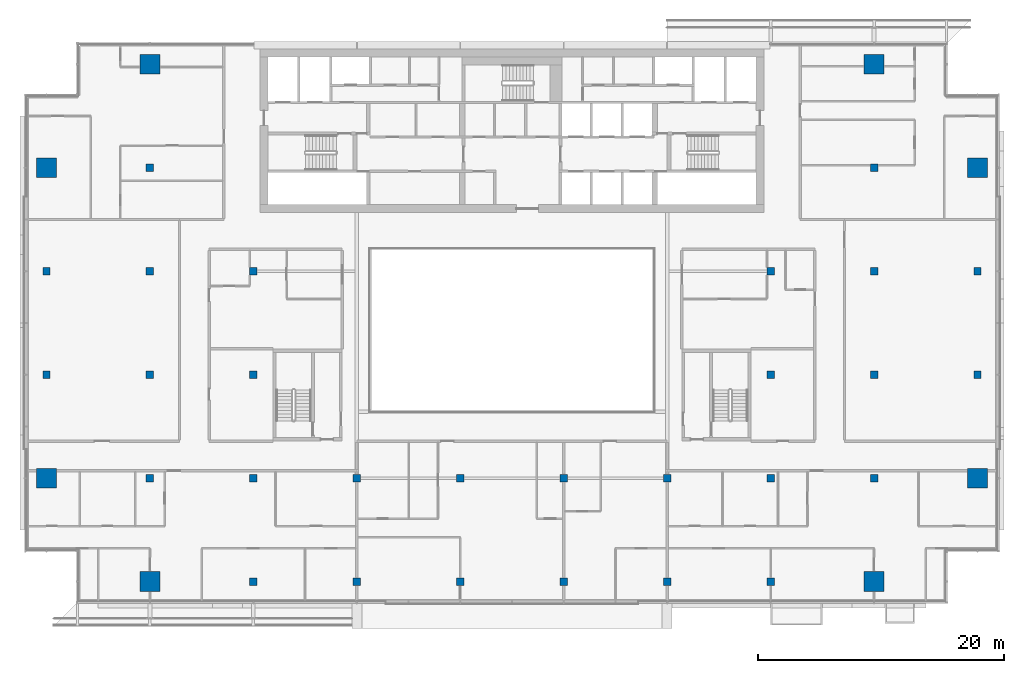
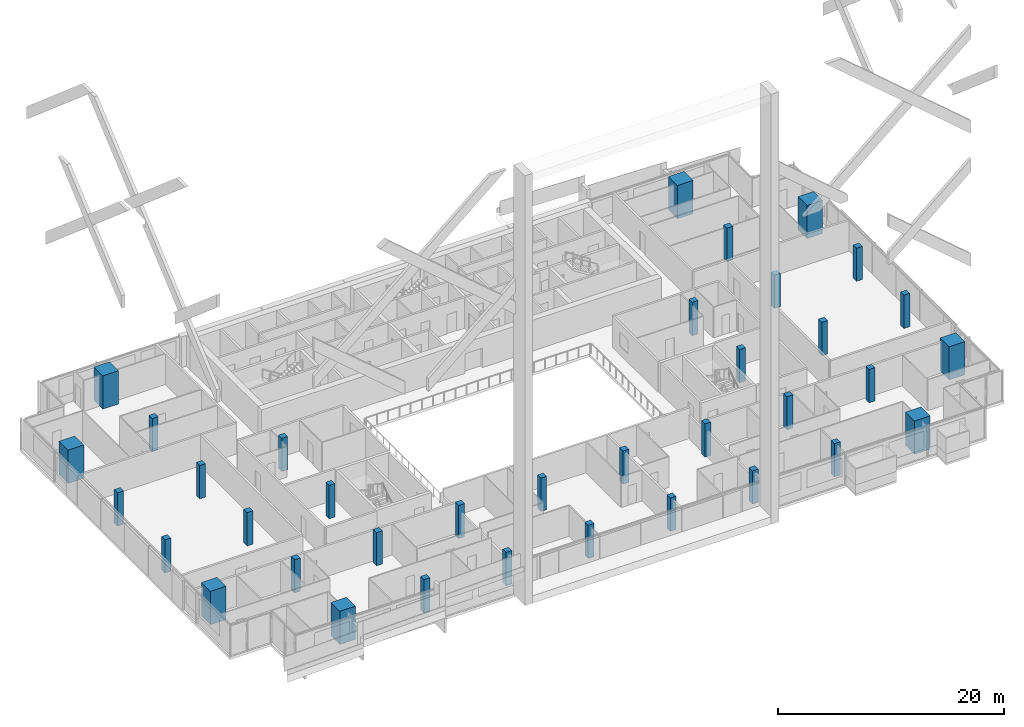
# One storey, part 1 of 31: 36 columns.
"""IFC4 building model written with IfcOpenShell, lengths in metres."""

from ifc_helpers import new_model, si_unit, direction, frame, origin, origin_2d, place, context, subcontext, project, spatial, rectangle, extrude, material, material_profile, profile_set, type_object, element, save


model = new_model("IFC4")

# Units and contexts
model_context = context("Model", 3, precision=1e-05, world=origin(), true_north=direction((0.0, 1.0)))
body_context = subcontext(model_context, "Body", "Model", "MODEL_VIEW")
ifc_project = project(units=[si_unit("LENGTHUNIT", "METRE"), si_unit("AREAUNIT", "SQUARE_METRE"), si_unit("VOLUMEUNIT", "CUBIC_METRE"), si_unit("PLANEANGLEUNIT", "RADIAN"), si_unit("MASSUNIT", "GRAM", prefix="KILO")], contexts=[model_context])

# Site, building, storey
site_placement = place(None, origin())
site = spatial("IfcSite", under=ifc_project, at=site_placement, CompositionType="ELEMENT")
building_placement = place(site_placement, origin())
building = spatial("IfcBuilding", under=site, at=building_placement, Name="Saffron Gate Tower", CompositionType="ELEMENT")
storey_placement = place(building_placement, frame((0.0, 0.0, 205.5)))
storey = spatial("IfcBuildingStorey", under=building, at=storey_placement, Name="L49", CompositionType="ELEMENT", Elevation=205.5)

# Columns
ifc_material_1 = material(Name="Concrete C50", Category="concrete")
ifc_material_profile_1 = material_profile(ifc_material_1, rectangle(XDim=0.60009765625, YDim=0.60009765625, at=origin_2d()))
ifc_profile_set_1 = profile_set([ifc_material_profile_1], Name="Concrete C50")
column_type_1 = type_object("IfcColumnType", Name="C2 RC 600x600 CONCRETE C50", PredefinedType="COLUMN", material=ifc_profile_set_1)
for number, where, z_axis, x_axis, name in (
    (1, (49.800048828125, 48.60009765625, 0.0), (0.0, 0.0, 1.0), (1.0, 0.0, 0.0), "C2 COLUMN X1-C"),
    (2, (49.800048828125, 57.0, 0.0), (0.0, 0.0, 1.0), (1.0, 0.0, 0.0), "C2 COLUMN X1-D"),
    (3, (58.199951171875, 40.199951171875, 0.0), (0.0, 0.0, 1.0), (1.0, 0.0, 0.0), "C2 COLUMN X2-B"),
    (4, (58.199951171875, 48.60009765625, 0.0), (0.0, 0.0, 1.0), (1.0, 0.0, 0.0), "C2 COLUMN X2-C"),
    (5, (58.199951171875, 57.0, 0.0), (0.0, 0.0, 1.0), (1.0, 0.0, 0.0), "C2 COLUMN X2-D"),
    (6, (58.199951171875, 65.39990234375, 0.0), (0.0, 0.0, 1.0), (1.0, 0.0, 0.0), "C2 COLUMN X2-E"),
    (7, (66.60009765625, 31.800048828125, 0.0), (0.0, 0.0, 1.0), (1.0, 0.0, 0.0), "C2 COLUMN X3-A"),
    (8, (66.60009765625, 40.199951171875, 0.0), (0.0, 0.0, 1.0), (1.0, 0.0, 0.0), "C2 COLUMN X3-B"),
    (9, (66.60009765625, 48.60009765625, 0.0), (0.0, 0.0, 1.0), (1.0, 0.0, 0.0), "C2 COLUMN X3-C"),
    (10, (66.60009765625, 57.0, 0.0), (0.0, 0.0, 1.0), (1.0, 0.0, 0.0), "C2 COLUMN X3-D"),
    (11, (75.0, 31.800048828125, 0.0), (0.0, 0.0, 1.0), (1.0, 0.0, 0.0), "C2 COLUMN X4-A"),
    (12, (75.0, 40.199951171875, 0.0), (0.0, 0.0, 1.0), (1.0, 0.0, 0.0), "C2 COLUMN X4-B"),
    (13, (83.39990234375, 31.800048828125, 0.0), (0.0, 0.0, 1.0), (1.0, 0.0, 0.0), "C2 COLUMN X5-A"),
    (14, (83.39990234375, 40.199951171875, 0.0), (0.0, 0.0, 1.0), (1.0, 0.0, 0.0), "C2 COLUMN X5-B"),
    (15, (91.800048828125, 31.800048828125, 0.0), (0.0, 0.0, 1.0), (1.0, 0.0, 0.0), "C2 COLUMN X6-A"),
    (16, (91.800048828125, 40.199951171875, 0.0), (0.0, 0.0, 1.0), (1.0, 0.0, 0.0), "C2 COLUMN X6-B"),
    (17, (100.199951171875, 31.800048828125, 0.0), (0.0, 0.0, 1.0), (1.0, 0.0, 0.0), "C2 COLUMN X7-A"),
    (18, (100.199951171875, 40.199951171875, 0.0), (0.0, 0.0, 1.0), (1.0, 0.0, 0.0), "C2 COLUMN X7-B"),
    (19, (108.60009765625, 31.800048828125, 0.0), (0.0, 0.0, 1.0), (1.0, 0.0, 0.0), "C2 COLUMN X8-A"),
    (20, (108.60009765625, 40.199951171875, 0.0), (0.0, 0.0, 1.0), (1.0, 0.0, 0.0), "C2 COLUMN X8-B"),
    (21, (108.60009765625, 48.60009765625, 0.0), (0.0, 0.0, 1.0), (1.0, 0.0, 0.0), "C2 COLUMN X8-C"),
    (22, (108.60009765625, 57.0, 0.0), (0.0, 0.0, 1.0), (1.0, 0.0, 0.0), "C2 COLUMN X8-D"),
    (23, (117.0, 40.199951171875, 0.0), (0.0, 0.0, 1.0), (1.0, 0.0, 0.0), "C2 COLUMN X9-B"),
    (24, (117.0, 48.60009765625, 0.0), (0.0, 0.0, 1.0), (1.0, 0.0, 0.0), "C2 COLUMN X9-C"),
    (25, (117.0, 57.0, 0.0), (0.0, 0.0, 1.0), (1.0, 0.0, 0.0), "C2 COLUMN X9-D"),
    (26, (117.0, 65.39990234375, 0.0), (0.0, 0.0, 1.0), (1.0, 0.0, 0.0), "C2 COLUMN X9-E"),
    (27, (125.39990234375, 48.60009765625, 0.0), (0.0, 0.0, 1.0), (1.0, 0.0, 0.0), "C2 COLUMN X10-C"),
    (28, (125.39990234375, 57.0, 0.0), (0.0, 0.0, 1.0), (1.0, 0.0, 0.0), "C2 COLUMN X10-D"),
):
    element("IfcColumn", number, at=place(storey_placement, frame(where, z_axis=z_axis, x_axis=x_axis)), inside=storey, type_object=column_type_1, Name=name, PredefinedType="COLUMN", context=body_context, shape_type="SweptSolid", body=[
        extrude(rectangle(XDim=0.60009765625, YDim=0.60009765625, at=origin_2d()), origin(), (0.0, 0.0, 1.0), 3.60009765625),
    ])
ifc_material_2 = material(Name="Concrete C70", Category="concrete")
ifc_material_profile_2 = material_profile(ifc_material_2, rectangle(XDim=1.60009765625, YDim=1.60009765625, at=origin_2d()))
ifc_profile_set_2 = profile_set([ifc_material_profile_2], Name="Concrete C70")
column_type_2 = type_object("IfcColumnType", Name="MC1 RC 1600x1600 CONCRETE C70", PredefinedType="COLUMN", material=ifc_profile_set_2)
for number, where, z_axis, x_axis, name in (
    (29, (49.800048828125, 40.199951171875, 0.0), (0.0, 0.0, 1.0), (1.0, 0.0, 0.0), "MC1 MEGA COLUMN X1-B"),
    (30, (49.800048828125, 65.39990234375, 0.0), (0.0, 0.0, 1.0), (1.0, 0.0, 0.0), "MC1 MEGA COLUMN X1-E"),
    (31, (58.199951171875, 31.800048828125, 0.0), (0.0, 0.0, 1.0), (1.0, 0.0, 0.0), "MC1 MEGA COLUMN X2-A"),
    (32, (58.199951171875, 73.800048828125, 0.0), (0.0, 0.0, 1.0), (1.0, 0.0, 0.0), "MC1 MEGA COLUMN X2-F"),
    (33, (117.0, 31.800048828125, 0.0), (0.0, 0.0, 1.0), (1.0, 0.0, 0.0), "MC1 MEGA COLUMN X9-A"),
    (34, (117.0, 73.800048828125, 0.0), (0.0, 0.0, 1.0), (1.0, 0.0, 0.0), "MC1 MEGA COLUMN X9-F"),
    (35, (125.39990234375, 40.199951171875, 0.0), (0.0, 0.0, 1.0), (1.0, 0.0, 0.0), "MC1 MEGA COLUMN X10-B"),
    (36, (125.39990234375, 65.39990234375, 0.0), (0.0, 0.0, 1.0), (1.0, 0.0, 0.0), "MC1 MEGA COLUMN X10-E"),
):
    element("IfcColumn", number, at=place(storey_placement, frame(where, z_axis=z_axis, x_axis=x_axis)), inside=storey, type_object=column_type_2, Name=name, PredefinedType="COLUMN", context=body_context, shape_type="SweptSolid", body=[
        extrude(rectangle(XDim=1.60009765625, YDim=1.60009765625, at=origin_2d()), origin(), (0.0, 0.0, 1.0), 3.60009765625),
    ])

save(model, "model.ifc")
